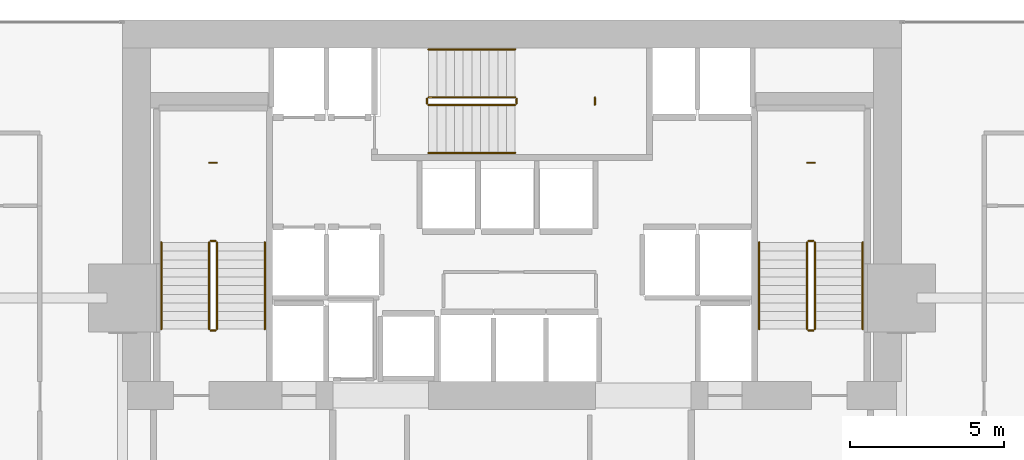
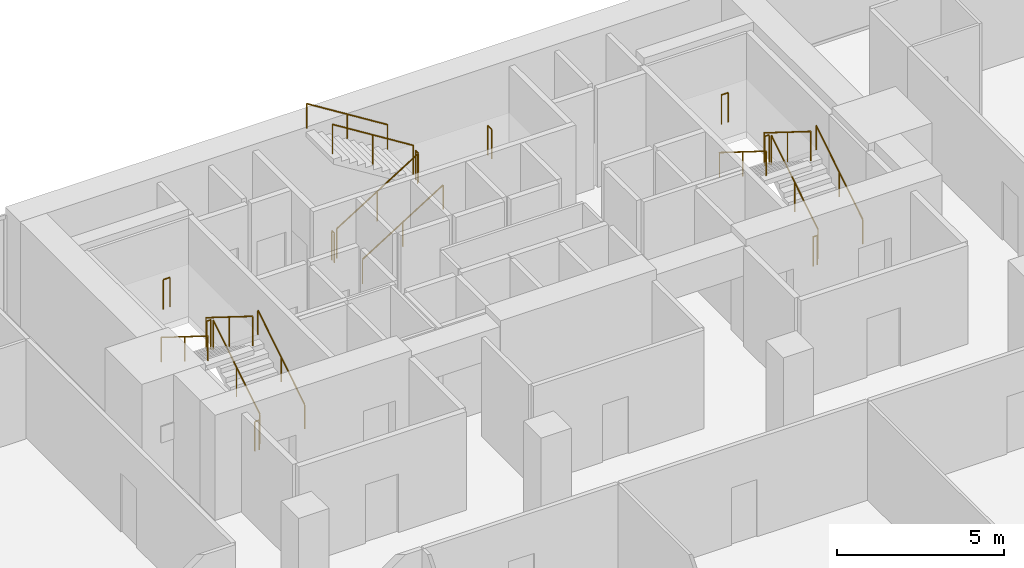
# One storey, part 39 of 39: 21 railings.
"""IFC4 building model written with IfcOpenShell, lengths in metres."""

from ifc_helpers import new_model, si_unit, direction, frame, origin, origin_2d, place, context, subcontext, project, spatial, circle, extrude, material, type_object, element, save


model = new_model("IFC4")

# Units and contexts
model_context = context("Model", 3, precision=1e-05, world=origin(), true_north=direction((0.0, 1.0)))
body_context = subcontext(model_context, "Body", "Model", "MODEL_VIEW")
ifc_project = project(units=[si_unit("LENGTHUNIT", "METRE"), si_unit("AREAUNIT", "SQUARE_METRE"), si_unit("VOLUMEUNIT", "CUBIC_METRE"), si_unit("PLANEANGLEUNIT", "RADIAN"), si_unit("MASSUNIT", "GRAM", prefix="KILO")], contexts=[model_context])

# Site, building, storey
site_placement = place(None, origin())
site = spatial("IfcSite", under=ifc_project, at=site_placement, CompositionType="ELEMENT")
building_placement = place(site_placement, origin())
building = spatial("IfcBuilding", under=site, at=building_placement, Name="Maruvema Waterfront Hotel and Observation Tower", CompositionType="ELEMENT")
storey_placement = place(building_placement, frame((0.0, 0.0, 65.449951171875)))
storey = spatial("IfcBuildingStorey", under=building, at=storey_placement, Name="L15", CompositionType="ELEMENT", Elevation=65.449951171875)

# Railings
ifc_material_1 = material(Name="Brushed stainless steel Grade 316", Category="steel")
railing_type_1 = type_object("IfcRailingType", Name="Ramp Continuous Wall Handrail 920 mm", PredefinedType="HANDRAIL", material=ifc_material_1)
railing_1_placement = place(storey_placement, frame((29.800048828125, 44.0, 0.175048828125)))
element("IfcRailing", 1, at=railing_1_placement, inside=storey, type_object=railing_type_1, Name="L15 ST-01 stair handrail 1", PredefinedType="HANDRAIL", context=body_context, shape_type="SweptSolid", body=[
    extrude(circle(Radius=0.02392578125, at=origin_2d()), frame((0.0, 0.0, 0.89599609375), z_axis=(0.0, 0.848002457836, 0.529992293815), x_axis=(-1.0, 0.0, 0.0)), (0.0, 0.0, 1.0), 3.302001953125),
    extrude(circle(Radius=0.02099609375, at=origin_2d()), origin(), (0.0, 0.0, 1.0), 0.871826171875),
    extrude(circle(Radius=0.02099609375, at=origin_2d()), frame((0.0, 1.39990234375, 0.875)), (0.0, 0.0, 1.0), 0.871826171875),
    extrude(circle(Radius=0.02099609375, at=origin_2d()), frame((0.0, 2.800048828125, 1.75)), (0.0, 0.0, 1.0), 0.871826171875),
])
railing_2_placement = place(storey_placement, frame((26.449951171875, 46.800048828125, 2.10009765625)))
element("IfcRailing", 2, at=railing_2_placement, inside=storey, type_object=railing_type_1, Name="L15 ST-01 stair handrail 2", PredefinedType="HANDRAIL", context=body_context, shape_type="SweptSolid", body=[
    extrude(circle(Radius=0.02392578125, at=origin_2d()), frame((0.0, 0.0, 0.89599609375), z_axis=(0.0, -0.848002457836, 0.529992293815), x_axis=(1.0, 0.0, 0.0)), (0.0, 0.0, 1.0), 3.302001953125),
    extrude(circle(Radius=0.02099609375, at=origin_2d()), origin(), (0.0, 0.0, 1.0), 0.871826171875),
    extrude(circle(Radius=0.02099609375, at=origin_2d()), frame((0.0, -1.39990234375, 0.875)), (0.0, 0.0, 1.0), 0.871826171875),
    extrude(circle(Radius=0.02099609375, at=origin_2d()), frame((0.0, -2.800048828125, 1.75)), (0.0, 0.0, 1.0), 0.871826171875),
])
railing_3_placement = place(storey_placement, frame((35.10009765625, 49.699951171875, 0.175048828125)))
element("IfcRailing", 3, at=railing_3_placement, inside=storey, type_object=railing_type_1, Name="L15 ST-02 stair handrail 1", PredefinedType="HANDRAIL", context=body_context, shape_type="SweptSolid", body=[
    extrude(circle(Radius=0.02392578125, at=origin_2d()), frame((0.0, 0.0, 0.89599609375), z_axis=(0.847981687118, 0.0, 0.530025526095), x_axis=(0.0, 1.0, 0.0)), (0.0, 0.0, 1.0), 3.3017578125),
    extrude(circle(Radius=0.02099609375, at=origin_2d()), origin(), (0.0, 0.0, 1.0), 0.871826171875),
    extrude(circle(Radius=0.02099609375, at=origin_2d()), frame((1.39990234375, 0.0, 0.875)), (0.0, 0.0, 1.0), 0.871826171875),
    extrude(circle(Radius=0.02099609375, at=origin_2d()), frame((2.7998046875, 0.0, 1.75)), (0.0, 0.0, 1.0), 0.871826171875),
])
railing_4_placement = place(storey_placement, frame((37.89990234375, 53.050048828125, 2.10009765625)))
element("IfcRailing", 4, at=railing_4_placement, inside=storey, type_object=railing_type_1, Name="L15 ST-02 stair handrail 2", PredefinedType="HANDRAIL", context=body_context, shape_type="SweptSolid", body=[
    extrude(circle(Radius=0.02392578125, at=origin_2d()), frame((0.0, 0.0, 0.89599609375), z_axis=(-0.847981687118, 0.0, 0.530025526095), x_axis=(0.0, -1.0, 0.0)), (0.0, 0.0, 1.0), 3.3017578125),
    extrude(circle(Radius=0.02099609375, at=origin_2d()), origin(), (0.0, 0.0, 1.0), 0.871826171875),
    extrude(circle(Radius=0.02099609375, at=origin_2d()), frame((-1.39990234375, 0.0, 0.875)), (0.0, 0.0, 1.0), 0.871826171875),
    extrude(circle(Radius=0.02099609375, at=origin_2d()), frame((-2.7998046875, 0.0, 1.75)), (0.0, 0.0, 1.0), 0.871826171875),
])
railing_5_placement = place(storey_placement, frame((49.14990234375, 44.0, 0.175048828125)))
element("IfcRailing", 5, at=railing_5_placement, inside=storey, type_object=railing_type_1, Name="L15 ST-03 stair handrail 1", PredefinedType="HANDRAIL", context=body_context, shape_type="SweptSolid", body=[
    extrude(circle(Radius=0.02392578125, at=origin_2d()), frame((0.0, 0.0, 0.89599609375), z_axis=(0.0, 0.848002457836, 0.529992293815), x_axis=(-1.0, 0.0, 0.0)), (0.0, 0.0, 1.0), 3.302001953125),
    extrude(circle(Radius=0.02099609375, at=origin_2d()), origin(), (0.0, 0.0, 1.0), 0.871826171875),
    extrude(circle(Radius=0.02099609375, at=origin_2d()), frame((0.0, 1.39990234375, 0.875)), (0.0, 0.0, 1.0), 0.871826171875),
    extrude(circle(Radius=0.02099609375, at=origin_2d()), frame((0.0, 2.800048828125, 1.75)), (0.0, 0.0, 1.0), 0.871826171875),
])
railing_6_placement = place(storey_placement, frame((45.800048828125, 46.800048828125, 2.10009765625)))
element("IfcRailing", 6, at=railing_6_placement, inside=storey, type_object=railing_type_1, Name="L15 ST-03 stair handrail 2", PredefinedType="HANDRAIL", context=body_context, shape_type="SweptSolid", body=[
    extrude(circle(Radius=0.02392578125, at=origin_2d()), frame((0.0, 0.0, 0.89599609375), z_axis=(0.0, -0.848002457836, 0.529992293815), x_axis=(1.0, 0.0, 0.0)), (0.0, 0.0, 1.0), 3.302001953125),
    extrude(circle(Radius=0.02099609375, at=origin_2d()), origin(), (0.0, 0.0, 1.0), 0.871826171875),
    extrude(circle(Radius=0.02099609375, at=origin_2d()), frame((0.0, -1.39990234375, 0.875)), (0.0, 0.0, 1.0), 0.871826171875),
    extrude(circle(Radius=0.02099609375, at=origin_2d()), frame((0.0, -2.800048828125, 1.75)), (0.0, 0.0, 1.0), 0.871826171875),
])
ifc_material_2 = material(Name="Brushed stainless steel Grade 316", Category="steel")
railing_type_2 = type_object("IfcRailingType", Name="Ramp and Terrace Guard Balustrade 1100 mm", PredefinedType="BALUSTRADE", material=ifc_material_2)
railing_7_placement = place(storey_placement, frame((28.25, 44.0, 0.175048828125)))
element("IfcRailing", 7, at=railing_7_placement, inside=storey, type_object=railing_type_2, Name="L15 ST-01 stair guard 1", PredefinedType="BALUSTRADE", context=body_context, shape_type="SweptSolid", body=[
    extrude(circle(Radius=0.02392578125, at=origin_2d()), frame((0.0, 0.0, 1.076171875), z_axis=(0.0, 0.848002457836, 0.529992293815), x_axis=(-1.0, 0.0, 0.0)), (0.0, 0.0, 1.0), 3.302001953125),
    extrude(circle(Radius=0.02099609375, at=origin_2d()), origin(), (0.0, 0.0, 1.0), 1.052001953125),
    extrude(circle(Radius=0.02099609375, at=origin_2d()), frame((0.0, 1.39990234375, 0.875)), (0.0, 0.0, 1.0), 1.052001953125),
    extrude(circle(Radius=0.02099609375, at=origin_2d()), frame((0.0, 2.800048828125, 1.75)), (0.0, 0.0, 1.0), 1.052001953125),
])
railing_8_placement = place(storey_placement, frame((28.199951171875, 46.85009765625, 1.925048828125)))
element("IfcRailing", 8, at=railing_8_placement, inside=storey, type_object=railing_type_2, Name="L15 ST-01 stair guard 2", PredefinedType="BALUSTRADE", context=body_context, shape_type="SweptSolid", body=[
    extrude(circle(Radius=0.02392578125, at=origin_2d()), frame((0.0, 0.0, 1.076171875), z_axis=(-1.0, 0.0, 0.0), x_axis=(0.0, -1.0, 0.0)), (0.0, 0.0, 1.0), 0.14990234375),
    extrude(circle(Radius=0.02099609375, at=origin_2d()), origin(), (0.0, 0.0, 1.0), 1.052001953125),
    extrude(circle(Radius=0.02099609375, at=origin_2d()), frame((-0.14990234375, 0.0, 0.0)), (0.0, 0.0, 1.0), 1.052001953125),
])
railing_9_placement = place(storey_placement, frame((28.0, 46.800048828125, 2.10009765625)))
element("IfcRailing", 9, at=railing_9_placement, inside=storey, type_object=railing_type_2, Name="L15 ST-01 stair guard 3", PredefinedType="BALUSTRADE", context=body_context, shape_type="SweptSolid", body=[
    extrude(circle(Radius=0.02392578125, at=origin_2d()), frame((0.0, 0.0, 1.076171875), z_axis=(0.0, -0.848002457836, 0.529992293815), x_axis=(1.0, 0.0, 0.0)), (0.0, 0.0, 1.0), 3.302001953125),
    extrude(circle(Radius=0.02099609375, at=origin_2d()), origin(), (0.0, 0.0, 1.0), 1.052001953125),
    extrude(circle(Radius=0.02099609375, at=origin_2d()), frame((0.0, -1.39990234375, 0.875)), (0.0, 0.0, 1.0), 1.052001953125),
    extrude(circle(Radius=0.02099609375, at=origin_2d()), frame((0.0, -2.800048828125, 1.75)), (0.0, 0.0, 1.0), 1.052001953125),
])
railing_10_placement = place(storey_placement, frame((28.199951171875, 43.949951171875, 0.0)))
element("IfcRailing", 10, at=railing_10_placement, inside=storey, type_object=railing_type_2, Name="L15 ST-01 stair guard 4", PredefinedType="BALUSTRADE", context=body_context, shape_type="SweptSolid", body=[
    extrude(circle(Radius=0.02392578125, at=origin_2d()), frame((0.0, 0.0, 1.076171875), z_axis=(-1.0, 0.0, 0.0), x_axis=(0.0, -1.0, 0.0)), (0.0, 0.0, 1.0), 0.14990234375),
    extrude(circle(Radius=0.02099609375, at=origin_2d()), origin(), (0.0, 0.0, 1.0), 1.052001953125),
    extrude(circle(Radius=0.02099609375, at=origin_2d()), frame((-0.14990234375, 0.0, 0.0)), (0.0, 0.0, 1.0), 1.052001953125),
])
railing_11_placement = place(storey_placement, frame((28.239990234375, 49.3798828125, 1.925048828125)))
element("IfcRailing", 11, at=railing_11_placement, inside=storey, type_object=railing_type_2, Name="L15 ST-01 Half-Landing Slot Guard", PredefinedType="BALUSTRADE", context=body_context, shape_type="SweptSolid", body=[
    extrude(circle(Radius=0.02392578125, at=origin_2d()), frame((0.0, 0.0, 1.076171875), z_axis=(-1.0, 0.0, 0.0), x_axis=(0.0, -1.0, 0.0)), (0.0, 0.0, 1.0), 0.22998046875),
    extrude(circle(Radius=0.02099609375, at=origin_2d()), origin(), (0.0, 0.0, 1.0), 1.052001953125),
    extrude(circle(Radius=0.02099609375, at=origin_2d()), frame((-0.22998046875, 0.0, 0.0)), (0.0, 0.0, 1.0), 1.052001953125),
])
railing_12_placement = place(storey_placement, frame((35.10009765625, 51.25, 0.175048828125)))
element("IfcRailing", 12, at=railing_12_placement, inside=storey, type_object=railing_type_2, Name="L15 ST-02 stair guard 1", PredefinedType="BALUSTRADE", context=body_context, shape_type="SweptSolid", body=[
    extrude(circle(Radius=0.02392578125, at=origin_2d()), frame((0.0, 0.0, 1.076171875), z_axis=(0.847981687118, 0.0, 0.530025526095), x_axis=(0.0, 1.0, 0.0)), (0.0, 0.0, 1.0), 3.3017578125),
    extrude(circle(Radius=0.02099609375, at=origin_2d()), origin(), (0.0, 0.0, 1.0), 1.052001953125),
    extrude(circle(Radius=0.02099609375, at=origin_2d()), frame((1.39990234375, 0.0, 0.875)), (0.0, 0.0, 1.0), 1.052001953125),
    extrude(circle(Radius=0.02099609375, at=origin_2d()), frame((2.7998046875, 0.0, 1.75)), (0.0, 0.0, 1.0), 1.052001953125),
])
railing_13_placement = place(storey_placement, frame((37.949951171875, 51.300048828125, 1.925048828125)))
element("IfcRailing", 13, at=railing_13_placement, inside=storey, type_object=railing_type_2, Name="L15 ST-02 stair guard 2", PredefinedType="BALUSTRADE", context=body_context, shape_type="SweptSolid", body=[
    extrude(circle(Radius=0.02392578125, at=origin_2d()), frame((0.0, 0.0, 1.076171875), z_axis=(0.0, 1.0, 0.0), x_axis=(-1.0, 0.0, 0.0)), (0.0, 0.0, 1.0), 0.14990234375),
    extrude(circle(Radius=0.02099609375, at=origin_2d()), origin(), (0.0, 0.0, 1.0), 1.052001953125),
    extrude(circle(Radius=0.02099609375, at=origin_2d()), frame((0.0, 0.14990234375, 0.0)), (0.0, 0.0, 1.0), 1.052001953125),
])
railing_14_placement = place(storey_placement, frame((37.89990234375, 51.5, 2.10009765625)))
element("IfcRailing", 14, at=railing_14_placement, inside=storey, type_object=railing_type_2, Name="L15 ST-02 stair guard 3", PredefinedType="BALUSTRADE", context=body_context, shape_type="SweptSolid", body=[
    extrude(circle(Radius=0.02392578125, at=origin_2d()), frame((0.0, 0.0, 1.076171875), z_axis=(-0.847981687118, 0.0, 0.530025526095), x_axis=(0.0, -1.0, 0.0)), (0.0, 0.0, 1.0), 3.3017578125),
    extrude(circle(Radius=0.02099609375, at=origin_2d()), origin(), (0.0, 0.0, 1.0), 1.052001953125),
    extrude(circle(Radius=0.02099609375, at=origin_2d()), frame((-1.39990234375, 0.0, 0.875)), (0.0, 0.0, 1.0), 1.052001953125),
    extrude(circle(Radius=0.02099609375, at=origin_2d()), frame((-2.7998046875, 0.0, 1.75)), (0.0, 0.0, 1.0), 1.052001953125),
])
railing_15_placement = place(storey_placement, frame((35.050048828125, 51.300048828125, 0.0)))
element("IfcRailing", 15, at=railing_15_placement, inside=storey, type_object=railing_type_2, Name="L15 ST-02 stair guard 4", PredefinedType="BALUSTRADE", context=body_context, shape_type="SweptSolid", body=[
    extrude(circle(Radius=0.02392578125, at=origin_2d()), frame((0.0, 0.0, 1.076171875), z_axis=(0.0, 1.0, 0.0), x_axis=(-1.0, 0.0, 0.0)), (0.0, 0.0, 1.0), 0.14990234375),
    extrude(circle(Radius=0.02099609375, at=origin_2d()), origin(), (0.0, 0.0, 1.0), 1.052001953125),
    extrude(circle(Radius=0.02099609375, at=origin_2d()), frame((0.0, 0.14990234375, 0.0)), (0.0, 0.0, 1.0), 1.052001953125),
])
railing_16_placement = place(storey_placement, frame((40.47998046875, 51.260009765625, 1.925048828125)))
element("IfcRailing", 16, at=railing_16_placement, inside=storey, type_object=railing_type_2, Name="L15 ST-02 Half-Landing Slot Guard", PredefinedType="BALUSTRADE", context=body_context, shape_type="SweptSolid", body=[
    extrude(circle(Radius=0.02392578125, at=origin_2d()), frame((0.0, 0.0, 1.076171875), z_axis=(0.0, 1.0, 0.0), x_axis=(-1.0, 0.0, 0.0)), (0.0, 0.0, 1.0), 0.22998046875),
    extrude(circle(Radius=0.02099609375, at=origin_2d()), origin(), (0.0, 0.0, 1.0), 1.052001953125),
    extrude(circle(Radius=0.02099609375, at=origin_2d()), frame((0.0, 0.22998046875, 0.0)), (0.0, 0.0, 1.0), 1.052001953125),
])
railing_17_placement = place(storey_placement, frame((47.60009765625, 44.0, 0.175048828125)))
element("IfcRailing", 17, at=railing_17_placement, inside=storey, type_object=railing_type_2, Name="L15 ST-03 stair guard 1", PredefinedType="BALUSTRADE", context=body_context, shape_type="SweptSolid", body=[
    extrude(circle(Radius=0.02392578125, at=origin_2d()), frame((0.0, 0.0, 1.076171875), z_axis=(0.0, 0.848002457836, 0.529992293815), x_axis=(-1.0, 0.0, 0.0)), (0.0, 0.0, 1.0), 3.302001953125),
    extrude(circle(Radius=0.02099609375, at=origin_2d()), origin(), (0.0, 0.0, 1.0), 1.052001953125),
    extrude(circle(Radius=0.02099609375, at=origin_2d()), frame((0.0, 1.39990234375, 0.875)), (0.0, 0.0, 1.0), 1.052001953125),
    extrude(circle(Radius=0.02099609375, at=origin_2d()), frame((0.0, 2.800048828125, 1.75)), (0.0, 0.0, 1.0), 1.052001953125),
])
railing_18_placement = place(storey_placement, frame((47.550048828125, 46.85009765625, 1.925048828125)))
element("IfcRailing", 18, at=railing_18_placement, inside=storey, type_object=railing_type_2, Name="L15 ST-03 stair guard 2", PredefinedType="BALUSTRADE", context=body_context, shape_type="SweptSolid", body=[
    extrude(circle(Radius=0.02392578125, at=origin_2d()), frame((0.0, 0.0, 1.076171875), z_axis=(-1.0, 0.0, 0.0), x_axis=(0.0, -1.0, 0.0)), (0.0, 0.0, 1.0), 0.150146484375),
    extrude(circle(Radius=0.02099609375, at=origin_2d()), origin(), (0.0, 0.0, 1.0), 1.052001953125),
    extrude(circle(Radius=0.02099609375, at=origin_2d()), frame((-0.150146484375, 0.0, 0.0)), (0.0, 0.0, 1.0), 1.052001953125),
])
railing_19_placement = place(storey_placement, frame((47.35009765625, 46.800048828125, 2.10009765625)))
element("IfcRailing", 19, at=railing_19_placement, inside=storey, type_object=railing_type_2, Name="L15 ST-03 stair guard 3", PredefinedType="BALUSTRADE", context=body_context, shape_type="SweptSolid", body=[
    extrude(circle(Radius=0.02392578125, at=origin_2d()), frame((0.0, 0.0, 1.076171875), z_axis=(0.0, -0.848002457836, 0.529992293815), x_axis=(1.0, 0.0, 0.0)), (0.0, 0.0, 1.0), 3.302001953125),
    extrude(circle(Radius=0.02099609375, at=origin_2d()), origin(), (0.0, 0.0, 1.0), 1.052001953125),
    extrude(circle(Radius=0.02099609375, at=origin_2d()), frame((0.0, -1.39990234375, 0.875)), (0.0, 0.0, 1.0), 1.052001953125),
    extrude(circle(Radius=0.02099609375, at=origin_2d()), frame((0.0, -2.800048828125, 1.75)), (0.0, 0.0, 1.0), 1.052001953125),
])
railing_20_placement = place(storey_placement, frame((47.550048828125, 43.949951171875, 0.0)))
element("IfcRailing", 20, at=railing_20_placement, inside=storey, type_object=railing_type_2, Name="L15 ST-03 stair guard 4", PredefinedType="BALUSTRADE", context=body_context, shape_type="SweptSolid", body=[
    extrude(circle(Radius=0.02392578125, at=origin_2d()), frame((0.0, 0.0, 1.076171875), z_axis=(-1.0, 0.0, 0.0), x_axis=(0.0, -1.0, 0.0)), (0.0, 0.0, 1.0), 0.150146484375),
    extrude(circle(Radius=0.02099609375, at=origin_2d()), origin(), (0.0, 0.0, 1.0), 1.052001953125),
    extrude(circle(Radius=0.02099609375, at=origin_2d()), frame((-0.150146484375, 0.0, 0.0)), (0.0, 0.0, 1.0), 1.052001953125),
])
railing_21_placement = place(storey_placement, frame((47.590087890625, 49.3798828125, 1.925048828125)))
element("IfcRailing", 21, at=railing_21_placement, inside=storey, type_object=railing_type_2, Name="L15 ST-03 Half-Landing Slot Guard", PredefinedType="BALUSTRADE", context=body_context, shape_type="SweptSolid", body=[
    extrude(circle(Radius=0.02392578125, at=origin_2d()), frame((0.0, 0.0, 1.076171875), z_axis=(-1.0, 0.0, 0.0), x_axis=(0.0, -1.0, 0.0)), (0.0, 0.0, 1.0), 0.22998046875),
    extrude(circle(Radius=0.02099609375, at=origin_2d()), origin(), (0.0, 0.0, 1.0), 1.052001953125),
    extrude(circle(Radius=0.02099609375, at=origin_2d()), frame((-0.22998046875, 0.0, 0.0)), (0.0, 0.0, 1.0), 1.052001953125),
])

save(model, "model.ifc")
